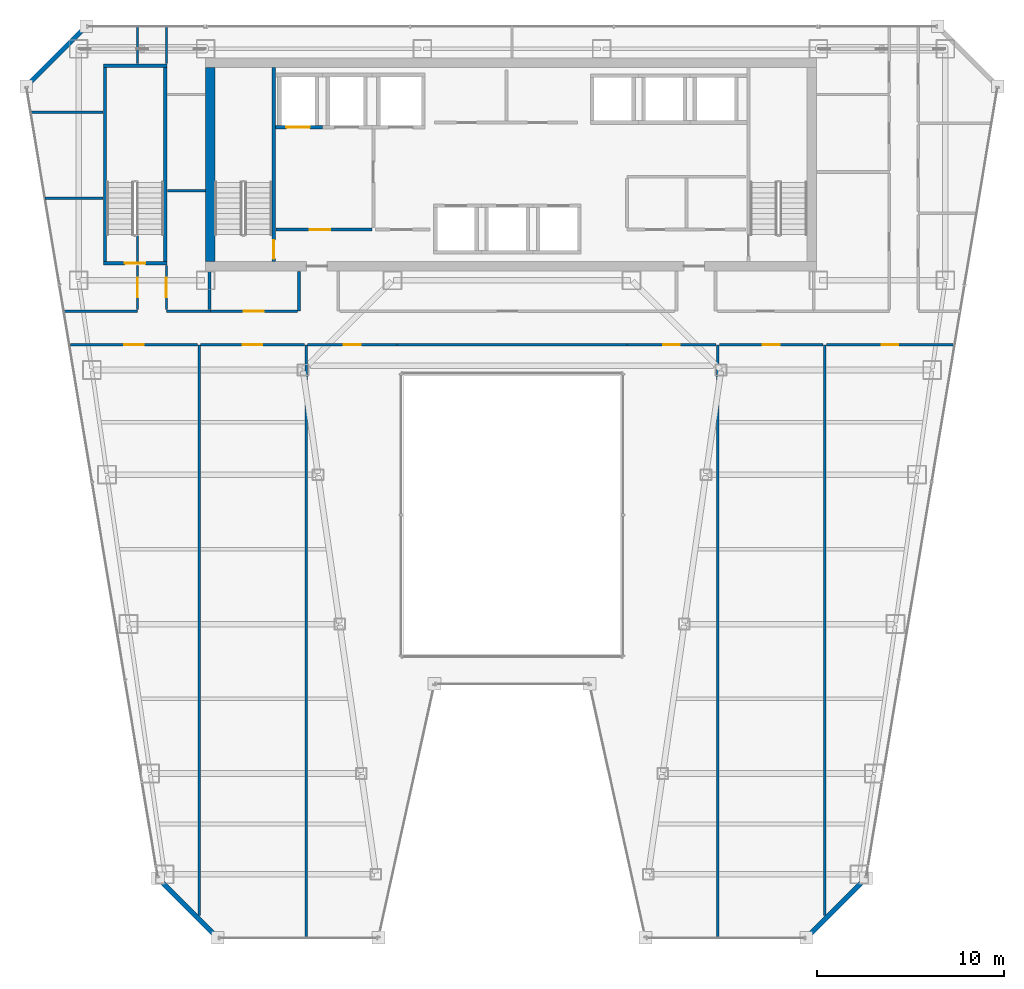
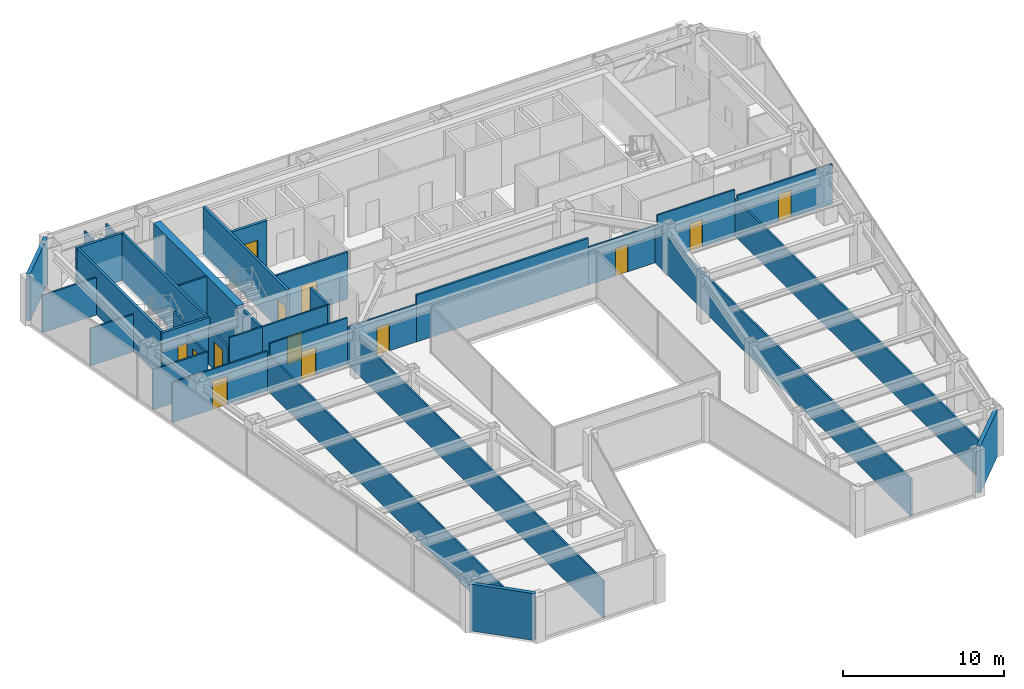
# One storey, part 32 of 38: 35 walls, 13 doors, 13 openings.
"""IFC4 building model written with IfcOpenShell, lengths in metres."""

from ifc_helpers import new_model, si_unit, direction, frame, frame_2d, origin, place, context, subcontext, project, spatial, rectangle, extrude, material, layer, layer_set, type_object, element, fill, save


model = new_model("IFC4")

# Units and contexts
model_context = context("Model", 3, precision=1e-05, world=origin(), true_north=direction((0.0, 1.0)))
body_context = subcontext(model_context, "Body", "Model", "MODEL_VIEW")
ifc_project = project(units=[si_unit("LENGTHUNIT", "METRE"), si_unit("AREAUNIT", "SQUARE_METRE"), si_unit("VOLUMEUNIT", "CUBIC_METRE"), si_unit("PLANEANGLEUNIT", "RADIAN"), si_unit("MASSUNIT", "GRAM", prefix="KILO")], contexts=[model_context])

# Site, building, storey
site_placement = place(None, origin())
site = spatial("IfcSite", under=ifc_project, at=site_placement, CompositionType="ELEMENT")
building_placement = place(site_placement, origin())
building = spatial("IfcBuilding", under=site, at=building_placement, Name="Saevonmaru Cultural Tower", CompositionType="ELEMENT")
storey_placement = place(building_placement, frame((0.0, 0.0, 133.39990234375)))
storey = spatial("IfcBuildingStorey", under=building, at=storey_placement, Name="L28", CompositionType="ELEMENT", Elevation=133.39990234375)

# Wall
ifc_material_1 = material(Name="Concrete C60/75", Category="concrete")
ifc_layer_1 = layer(ifc_material_1, 0.5, Name="Concrete C60/75")
ifc_layer_set_1 = layer_set([ifc_layer_1], Name="Concrete C60/75")
wall_type_1 = type_object("IfcWallType", Name="WL-CORE-500", PredefinedType="SHEAR", material=ifc_layer_set_1)
wall_1_placement = place(storey_placement, frame((13.85009765625, 43.39990234375, 0.0), z_axis=(0.0, 0.0, 1.0), x_axis=(0.0, 1.0, 0.0)))
element("IfcWall", 1, at=wall_1_placement, inside=storey, type_object=wall_type_1, Name="L28 Tower RC core shear wall W", PredefinedType="SHEAR", context=body_context, shape_type="SweptSolid", body=[
    extrude(rectangle(XDim=10.400146484375, YDim=0.5, at=frame_2d((5.2001953125, 0.0))), origin(), (0.0, 0.0, 1.0), 3.550048828125),
])

# Wall, opening, door
ifc_material_2 = material(Name="Gypsum Fireboard Partition", Category="gypsum")
ifc_layer_2 = layer(ifc_material_2, 0.14990234375, Name="Gypsum Fireboard Partition")
ifc_layer_set_2 = layer_set([ifc_layer_2], Name="Gypsum Fireboard Partition")
wall_type_2 = type_object("IfcWallType", Name="WL-CORE-PART-150", PredefinedType="PARTITIONING", material=ifc_layer_set_2)
wall_2_placement = place(storey_placement, frame((17.360107421875, 45.1201171875, 0.0), z_axis=(0.0, 0.0, 1.0), x_axis=(1.0, 0.0, 0.0)))
wall_2 = element("IfcWall", 2, at=wall_2_placement, inside=storey, type_object=wall_type_2, Name="L28 Firefighting Lift Lobby South Wall", PredefinedType="PARTITIONING", context=body_context, shape_type="SweptSolid", body=[
    extrude(rectangle(XDim=5.139892578125, YDim=0.14990234375, at=frame_2d((2.56982421875, 0.0))), origin(), (0.0, 0.0, 1.0), 3.550048828125),
])
opening_1_placement = place(wall_2_placement, frame((1.800048828125, 0.0, 0.0)))
opening_1 = element("IfcOpeningElement", 3, at=opening_1_placement, cuts=wall_2, Name="Opening FD-2", PredefinedType="OPENING", context=body_context, shape_type="SweptSolid", body=[
    extrude(rectangle(XDim=1.10009765625, YDim=2.14990234375, at=frame_2d((0.550048828125, 1.074951171875))), frame((0.0, 0.0849609375, 0.0), z_axis=(0.0, -1.0, 0.0), x_axis=(1.0, 0.0, 0.0)), (0.0, 0.0, 1.0), 0.169921875),
])
ifc_material_3 = material(Name="Satin Bronze Anodised Aluminium", Category="aluminium")
door_type_1 = type_object("IfcDoorType", Name="DR-FD60-1100", OperationType="SINGLE_SWING_LEFT", PredefinedType="DOOR", material=ifc_material_3)
door_1_placement = place(opening_1_placement, origin())
door_1 = element("IfcDoor", 4, at=door_1_placement, inside=storey, type_object=door_type_1, Name="L28 Firefighting Lift Lobby South Door", OperationType="SINGLE_SWING_LEFT", OverallHeight=2.14990234375, OverallWidth=1.10009765625, PredefinedType="DOOR", context=body_context, shape_type="SweptSolid", body=[
    extrude(rectangle(XDim=1.10009765625, YDim=2.14990234375, at=frame_2d((0.550048828125, 1.074951171875))), frame((0.0, 0.02490234375, 0.0), z_axis=(0.0, -1.0, 0.0), x_axis=(1.0, 0.0, 0.0)), (0.0, 0.0, 1.0), 0.050048828125),
])
fill(opening_1, door_1)

# Walls
ifc_material_4 = material(Name="Granite-Clad Precast Concrete C40/50", Category="masonry")
ifc_layer_3 = layer(ifc_material_4, 0.260009765625, Name="Granite-Clad Precast Concrete C40/50")
ifc_layer_set_3 = layer_set([ifc_layer_3], Name="Granite-Clad Precast Concrete C40/50")
wall_type_3 = type_object("IfcWallType", Name="WL-EXT-SPANDREL-260", PredefinedType="STANDARD", material=ifc_layer_set_3)
for number, where, z_axis, x_axis, name in (
    (5, (11.162109375, 10.286865234375, 0.0), (0.0, 0.0, 1.0), (0.70707775441, -0.707135806771, 0.0), "L28 Chamfer Corner Spandrel Wall E1"),
    (6, (45.8642578125, 7.31298828125, 0.0), (0.0, 0.0, 1.0), (0.70707775441, 0.707135806771, 0.0), "L28 Chamfer Corner Spandrel Wall E7"),
):
    element("IfcWall", number, at=place(storey_placement, frame(where, z_axis=z_axis, x_axis=x_axis)), inside=storey, type_object=wall_type_3, Name=name, PredefinedType="STANDARD", context=body_context, shape_type="SweptSolid", body=[
        extrude(rectangle(XDim=4.20556640625, YDim=0.260009765625, at=frame_2d((2.102783203125, 0.0))), origin(), (0.0, 0.0, 1.0), 3.550048828125),
    ])
wall_3_placement = place(storey_placement, frame((7.0869140625, 55.886962890625, 0.0), z_axis=(0.0, 0.0, 1.0), x_axis=(-0.707106781187, -0.707106781187, 0.0)))
element("IfcWall", 7, at=wall_3_placement, inside=storey, type_object=wall_type_3, Name="L28 Chamfer Corner Spandrel Wall E11", PredefinedType="STANDARD", context=body_context, shape_type="SweptSolid", body=[
    extrude(rectangle(XDim=4.205810546875, YDim=0.260009765625, at=frame_2d((2.10302734375, 0.0))), origin(), (0.0, 0.0, 1.0), 3.550048828125),
])
ifc_layer_4 = layer(ifc_material_2, 0.14990234375, Name="Gypsum Fireboard Partition")
ifc_layer_set_4 = layer_set([ifc_layer_4], Name="Gypsum Fireboard Partition")
wall_type_4 = type_object("IfcWallType", Name="WL-PART-FIRE-150", PredefinedType="PARTITIONING", material=ifc_layer_set_4)
wall_4_placement = place(storey_placement, frame((13.800048828125, 40.830078125, 0.0), z_axis=(0.0, 0.0, 1.0), x_axis=(0.0, 1.0, 0.0)))
element("IfcWall", 8, at=wall_4_placement, inside=storey, type_object=wall_type_4, Name="L28 Core Portal Side Wall W0", PredefinedType="PARTITIONING", context=body_context, shape_type="SweptSolid", body=[
    extrude(rectangle(XDim=2.0498046875, YDim=0.14990234375, at=frame_2d((1.02490234375, 0.0))), origin(), (0.0, 0.0, 1.0), 3.550048828125),
])
wall_5_placement = place(storey_placement, frame((18.60009765625, 40.75, 0.0), z_axis=(0.0, 0.0, 1.0), x_axis=(0.0, 1.0, 0.0)))
element("IfcWall", 9, at=wall_5_placement, inside=storey, type_object=wall_type_4, Name="L28 Core Portal Side Wall W1", PredefinedType="PARTITIONING", context=body_context, shape_type="SweptSolid", body=[
    extrude(rectangle(XDim=2.1298828125, YDim=0.14990234375, at=frame_2d((1.06494140625, 0.0))), origin(), (0.0, 0.0, 1.0), 3.550048828125),
])
wall_6_placement = place(storey_placement, frame((23.85009765625, 38.949951171875, 0.0), z_axis=(0.0, 0.0, 1.0), x_axis=(1.0, 0.0, 0.0)))
element("IfcWall", 10, at=wall_6_placement, inside=storey, type_object=wall_type_4, Name="L28 North Atrium Corridor Wall", PredefinedType="PARTITIONING", context=body_context, shape_type="SweptSolid", body=[
    extrude(rectangle(XDim=12.2998046875, YDim=0.14990234375, at=frame_2d((6.14990234375, 0.0))), origin(), (0.0, 0.0, 1.0), 3.550048828125),
])
ifc_layer_5 = layer(ifc_material_2, 0.1201171875, Name="Gypsum Fireboard Partition")
ifc_layer_set_5 = layer_set([ifc_layer_5], Name="Gypsum Fireboard Partition")
wall_type_5 = type_object("IfcWallType", Name="WL-PART-GYP-120", PredefinedType="PARTITIONING", material=ifc_layer_set_5)
wall_7_placement = place(storey_placement, frame((6.00830078125, 40.75, 0.0), z_axis=(0.0, 0.0, 1.0), x_axis=(1.0, 0.0, 0.0)))
element("IfcWall", 11, at=wall_7_placement, inside=storey, type_object=wall_type_5, Name="L28 NW Wing South Wall", PredefinedType="PARTITIONING", context=body_context, shape_type="SweptSolid", body=[
    extrude(rectangle(XDim=3.941650390625, YDim=0.1201171875, at=frame_2d((1.970703125, 0.0))), origin(), (0.0, 0.0, 1.0), 3.03515625),
])
wall_8_placement = place(storey_placement, frame((11.5, 40.75, 0.0), z_axis=(0.0, 0.0, 1.0), x_axis=(1.0, 0.0, 0.0)))
element("IfcWall", 12, at=wall_8_placement, inside=storey, type_object=wall_type_5, Name="L28 NW Inner South Wall", PredefinedType="PARTITIONING", context=body_context, shape_type="SweptSolid", body=[
    extrude(rectangle(XDim=2.35009765625, YDim=0.1201171875, at=frame_2d((1.175048828125, 0.0))), origin(), (0.0, 0.0, 1.0), 3.550048828125),
])
wall_9_placement = place(storey_placement, frame((11.5, 54.0, 0.0), z_axis=(0.0, 0.0, 1.0), x_axis=(0.0, 1.0, 0.0)))
element("IfcWall", 13, at=wall_9_placement, inside=storey, type_object=wall_type_5, Name="L28 Typography Design Classroom Corridor Wall", PredefinedType="PARTITIONING", context=body_context, shape_type="SweptSolid", body=[
    extrude(rectangle(XDim=1.9951171875, YDim=0.1201171875, at=frame_2d((0.99755859375, 0.0))), origin(), (0.0, 0.0, 1.0), 2.93505859375),
])
wall_10_placement = place(storey_placement, frame((5.002685546875, 46.800048828125, 0.0), z_axis=(0.0, 0.0, 1.0), x_axis=(1.0, 0.0, 0.0)))
element("IfcWall", 14, at=wall_10_placement, inside=storey, type_object=wall_type_5, Name="L28 NW Studio Divider 1", PredefinedType="PARTITIONING", context=body_context, shape_type="SweptSolid", body=[
    extrude(rectangle(XDim=3.097412109375, YDim=0.1201171875, at=frame_2d((1.548828125, 0.0))), origin(), (0.0, 0.0, 1.0), 2.835205078125),
])
wall_11_placement = place(storey_placement, frame((4.23779296875, 51.39990234375, 0.0), z_axis=(0.0, 0.0, 1.0), x_axis=(1.0, 0.0, 0.0)))
element("IfcWall", 15, at=wall_11_placement, inside=storey, type_object=wall_type_5, Name="L28 NW Studio Divider 2", PredefinedType="PARTITIONING", context=body_context, shape_type="SweptSolid", body=[
    extrude(rectangle(XDim=3.8623046875, YDim=0.1201171875, at=frame_2d((1.93115234375, 0.0))), origin(), (0.0, 0.0, 1.0), 2.835205078125),
])

# Wall, opening, door
wall_12_placement = place(storey_placement, frame((9.949951171875, 40.830078125, 0.0), z_axis=(0.0, 0.0, 1.0), x_axis=(0.0, 1.0, 0.0)))
wall_12 = element("IfcWall", 16, at=wall_12_placement, inside=storey, type_object=wall_type_5, Name="L28 Rare Folio Reading Room Corridor Wall", PredefinedType="PARTITIONING", context=body_context, shape_type="SweptSolid", body=[
    extrude(rectangle(XDim=2.369873046875, YDim=0.1201171875, at=frame_2d((1.18505859375, 0.0))), origin(), (0.0, 0.0, 1.0), 2.835205078125),
])
opening_2_placement = place(wall_12_placement, frame((0.659912109375, 0.0, 0.0)))
opening_2 = element("IfcOpeningElement", 17, at=opening_2_placement, cuts=wall_12, Name="Opening ID-1", PredefinedType="OPENING", context=body_context, shape_type="SweptSolid", body=[
    extrude(rectangle(XDim=1.050048828125, YDim=2.14990234375, at=frame_2d((0.52490234375, 1.074951171875))), frame((0.0, 0.070068359375, 0.0), z_axis=(0.0, -1.0, 0.0), x_axis=(1.0, 0.0, 0.0)), (0.0, 0.0, 1.0), 0.14013671875),
])
door_type_2 = type_object("IfcDoorType", Name="DR-INT-1050", OperationType="SINGLE_SWING_LEFT", PredefinedType="DOOR", material=ifc_material_3)
door_2_placement = place(opening_2_placement, origin())
door_2 = element("IfcDoor", 18, at=door_2_placement, inside=storey, type_object=door_type_2, Name="L28 Rare Folio Reading Room Door", OperationType="SINGLE_SWING_LEFT", OverallHeight=2.14990234375, OverallWidth=1.050048828125, PredefinedType="DOOR", context=body_context, shape_type="SweptSolid", body=[
    extrude(rectangle(XDim=1.050048828125, YDim=2.14990234375, at=frame_2d((0.52490234375, 1.074951171875))), frame((0.0, 0.02490234375, 0.0), z_axis=(0.0, -1.0, 0.0), x_axis=(1.0, 0.0, 0.0)), (0.0, 0.0, 1.0), 0.050048828125),
])
fill(opening_2, door_2)

# Walls
wall_13_placement = place(storey_placement, frame((9.949951171875, 43.419921875, 0.0), z_axis=(0.0, 0.0, 1.0), x_axis=(0.0, 1.0, 0.0)))
element("IfcWall", 19, at=wall_13_placement, inside=storey, type_object=wall_type_5, Name="L28 Rare Folio Reading Room Corridor Wall (2)", PredefinedType="PARTITIONING", context=body_context, shape_type="SweptSolid", body=[
    extrude(rectangle(XDim=1.4501953125, YDim=0.1201171875, at=frame_2d((0.72509765625, 0.0))), origin(), (0.0, 0.0, 1.0), 3.550048828125),
])
wall_14_placement = place(storey_placement, frame((9.949951171875, 54.0, 0.0), z_axis=(0.0, 0.0, 1.0), x_axis=(0.0, 1.0, 0.0)))
element("IfcWall", 20, at=wall_14_placement, inside=storey, type_object=wall_type_5, Name="L28 Typography Design Classroom Corridor Wall", PredefinedType="PARTITIONING", context=body_context, shape_type="SweptSolid", body=[
    extrude(rectangle(XDim=1.9951171875, YDim=0.1201171875, at=frame_2d((0.99755859375, 0.0))), origin(), (0.0, 0.0, 1.0), 2.93505859375),
])
wall_15_placement = place(storey_placement, frame((11.550048828125, 47.199951171875, 0.0), z_axis=(0.0, 0.0, 1.0), x_axis=(1.0, 0.0, 0.0)))
element("IfcWall", 21, at=wall_15_placement, inside=storey, type_object=wall_type_5, Name="L28 NW Inner Divider", PredefinedType="PARTITIONING", context=body_context, shape_type="SweptSolid", body=[
    extrude(rectangle(XDim=2.030029296875, YDim=0.1201171875, at=frame_2d((1.01513671875, 0.0))), origin(), (0.0, 0.0, 1.0), 3.550048828125),
])

# Wall, opening, door
wall_16_placement = place(storey_placement, frame((11.5, 40.830078125, 0.0), z_axis=(0.0, 0.0, 1.0), x_axis=(0.0, 1.0, 0.0)))
wall_16 = element("IfcWall", 22, at=wall_16_placement, inside=storey, type_object=wall_type_5, Name="L28 Art History Reading Room Corridor Wall", PredefinedType="PARTITIONING", context=body_context, shape_type="SweptSolid", body=[
    extrude(rectangle(XDim=2.369873046875, YDim=0.1201171875, at=frame_2d((1.18505859375, 0.0))), origin(), (0.0, 0.0, 1.0), 2.835205078125),
])
opening_3_placement = place(wall_16_placement, frame((0.659912109375, 0.0, 0.0)))
opening_3 = element("IfcOpeningElement", 23, at=opening_3_placement, cuts=wall_16, Name="Opening ID-1", PredefinedType="OPENING", context=body_context, shape_type="SweptSolid", body=[
    extrude(rectangle(XDim=1.050048828125, YDim=2.14990234375, at=frame_2d((0.52490234375, 1.074951171875))), frame((0.0, 0.070068359375, 0.0), z_axis=(0.0, -1.0, 0.0), x_axis=(1.0, 0.0, 0.0)), (0.0, 0.0, 1.0), 0.14013671875),
])
door_3_placement = place(opening_3_placement, origin())
door_3 = element("IfcDoor", 24, at=door_3_placement, inside=storey, type_object=door_type_2, Name="L28 Art History Reading Room Door", OperationType="SINGLE_SWING_RIGHT", OverallHeight=2.14990234375, OverallWidth=1.050048828125, PredefinedType="DOOR", context=body_context, shape_type="SweptSolid", body=[
    extrude(rectangle(XDim=1.050048828125, YDim=2.14990234375, at=frame_2d((0.52490234375, 1.074951171875))), frame((0.0, 0.02490234375, 0.0), z_axis=(0.0, -1.0, 0.0), x_axis=(1.0, 0.0, 0.0)), (0.0, 0.0, 1.0), 0.050048828125),
])
fill(opening_3, door_3)

wall_17_placement = place(storey_placement, frame((13.85009765625, 40.75, 0.0), z_axis=(0.0, 0.0, 1.0), x_axis=(1.0, 0.0, 0.0)))
wall_17 = element("IfcWall", 25, at=wall_17_placement, inside=storey, type_object=wall_type_5, Name="L28 Rare Folio Reading Room Corridor Wall", PredefinedType="PARTITIONING", context=body_context, shape_type="SweptSolid", body=[
    extrude(rectangle(XDim=4.65478515625, YDim=0.1201171875, at=frame_2d((2.327392578125, 0.0))), origin(), (0.0, 0.0, 1.0), 3.550048828125),
])
opening_4_placement = place(wall_17_placement, frame((1.802001953125, 0.0, 0.0)))
opening_4 = element("IfcOpeningElement", 26, at=opening_4_placement, cuts=wall_17, Name="Opening ID-1", PredefinedType="OPENING", context=body_context, shape_type="SweptSolid", body=[
    extrude(rectangle(XDim=1.050048828125, YDim=2.14990234375, at=frame_2d((0.52490234375, 1.074951171875))), frame((0.0, 0.070068359375, 0.0), z_axis=(0.0, -1.0, 0.0), x_axis=(1.0, 0.0, 0.0)), (0.0, 0.0, 1.0), 0.14013671875),
])
door_4_placement = place(opening_4_placement, origin())
door_4 = element("IfcDoor", 27, at=door_4_placement, inside=storey, type_object=door_type_2, Name="L28 Rare Folio Reading Room Door", OperationType="SINGLE_SWING_RIGHT", OverallHeight=2.14990234375, OverallWidth=1.050048828125, PredefinedType="DOOR", context=body_context, shape_type="SweptSolid", body=[
    extrude(rectangle(XDim=1.050048828125, YDim=2.14990234375, at=frame_2d((0.52490234375, 1.074951171875))), frame((0.0, 0.02490234375, 0.0), z_axis=(0.0, -1.0, 0.0), x_axis=(1.0, 0.0, 0.0)), (0.0, 0.0, 1.0), 0.050048828125),
])
fill(opening_4, door_4)

# Walls
wall_18_placement = place(storey_placement, frame((13.25, 8.410888671875, 0.0), z_axis=(0.0, 0.0, 1.0), x_axis=(0.0, 1.0, 0.0)))
element("IfcWall", 28, at=wall_18_placement, inside=storey, type_object=wall_type_5, Name="L28 West Bay Divider 1", PredefinedType="PARTITIONING", context=body_context, shape_type="SweptSolid", body=[
    extrude(rectangle(XDim=30.5390625, YDim=0.1201171875, at=frame_2d((15.26953125, 0.0))), origin(), (0.0, 0.0, 1.0), 2.835205078125),
])
wall_19_placement = place(storey_placement, frame((18.97998046875, 7.205078125, 0.0), z_axis=(0.0, 0.0, 1.0), x_axis=(0.0, 1.0, 0.0)))
element("IfcWall", 29, at=wall_19_placement, inside=storey, type_object=wall_type_5, Name="L28 West Bay Divider 2", PredefinedType="PARTITIONING", context=body_context, shape_type="SweptSolid", body=[
    extrude(rectangle(XDim=31.744873046875, YDim=0.1201171875, at=frame_2d((15.87255859375, 0.0))), origin(), (0.0, 0.0, 1.0), 2.835205078125),
])

# Wall, opening, door
wall_20_placement = place(storey_placement, frame((6.36279296875, 38.949951171875, 0.0), z_axis=(0.0, 0.0, 1.0), x_axis=(1.0, 0.0, 0.0)))
wall_20 = element("IfcWall", 30, at=wall_20_placement, inside=storey, type_object=wall_type_5, Name="L28 Rare Folio Reading Room Corridor Wall", PredefinedType="PARTITIONING", context=body_context, shape_type="SweptSolid", body=[
    extrude(rectangle(XDim=6.80712890625, YDim=0.1201171875, at=frame_2d((3.403564453125, 0.0))), origin(), (0.0, 0.0, 1.0), 3.03515625),
])
opening_5_placement = place(wall_20_placement, frame((2.87890625, 0.0, 0.0)))
opening_5 = element("IfcOpeningElement", 31, at=opening_5_placement, cuts=wall_20, Name="Opening ID-1", PredefinedType="OPENING", context=body_context, shape_type="SweptSolid", body=[
    extrude(rectangle(XDim=1.050048828125, YDim=2.14990234375, at=frame_2d((0.52490234375, 1.074951171875))), frame((0.0, 0.070068359375, 0.0), z_axis=(0.0, -1.0, 0.0), x_axis=(1.0, 0.0, 0.0)), (0.0, 0.0, 1.0), 0.14013671875),
])
door_5_placement = place(opening_5_placement, origin())
door_5 = element("IfcDoor", 32, at=door_5_placement, inside=storey, type_object=door_type_2, Name="L28 Rare Folio Reading Room Door", OperationType="SINGLE_SWING_LEFT", OverallHeight=2.14990234375, OverallWidth=1.050048828125, PredefinedType="DOOR", context=body_context, shape_type="SweptSolid", body=[
    extrude(rectangle(XDim=1.050048828125, YDim=2.14990234375, at=frame_2d((0.52490234375, 1.074951171875))), frame((0.0, 0.02490234375, 0.0), z_axis=(0.0, -1.0, 0.0), x_axis=(1.0, 0.0, 0.0)), (0.0, 0.0, 1.0), 0.050048828125),
])
fill(opening_5, door_5)

wall_21_placement = place(storey_placement, frame((13.330078125, 38.949951171875, 0.0), z_axis=(0.0, 0.0, 1.0), x_axis=(1.0, 0.0, 0.0)))
wall_21 = element("IfcWall", 33, at=wall_21_placement, inside=storey, type_object=wall_type_5, Name="L28 Art History Reading Room Corridor Wall", PredefinedType="PARTITIONING", context=body_context, shape_type="SweptSolid", body=[
    extrude(rectangle(XDim=5.56982421875, YDim=0.1201171875, at=frame_2d((2.784912109375, 0.0))), origin(), (0.0, 0.0, 1.0), 3.550048828125),
])
opening_6_placement = place(wall_21_placement, frame((2.260009765625, 0.0, 0.0)))
opening_6 = element("IfcOpeningElement", 34, at=opening_6_placement, cuts=wall_21, Name="Opening ID-1", PredefinedType="OPENING", context=body_context, shape_type="SweptSolid", body=[
    extrude(rectangle(XDim=1.050048828125, YDim=2.14990234375, at=frame_2d((0.52490234375, 1.074951171875))), frame((0.0, 0.070068359375, 0.0), z_axis=(0.0, -1.0, 0.0), x_axis=(1.0, 0.0, 0.0)), (0.0, 0.0, 1.0), 0.14013671875),
])
door_6_placement = place(opening_6_placement, origin())
door_6 = element("IfcDoor", 35, at=door_6_placement, inside=storey, type_object=door_type_2, Name="L28 Art History Reading Room Door", OperationType="SINGLE_SWING_RIGHT", OverallHeight=2.14990234375, OverallWidth=1.050048828125, PredefinedType="DOOR", context=body_context, shape_type="SweptSolid", body=[
    extrude(rectangle(XDim=1.050048828125, YDim=2.14990234375, at=frame_2d((0.52490234375, 1.074951171875))), frame((0.0, 0.02490234375, 0.0), z_axis=(0.0, -1.0, 0.0), x_axis=(1.0, 0.0, 0.0)), (0.0, 0.0, 1.0), 0.050048828125),
])
fill(opening_6, door_6)

wall_22_placement = place(storey_placement, frame((19.06005859375, 38.949951171875, 0.0), z_axis=(0.0, 0.0, 1.0), x_axis=(1.0, 0.0, 0.0)))
wall_22 = element("IfcWall", 36, at=wall_22_placement, inside=storey, type_object=wall_type_5, Name="L28 Typography Design Classroom Corridor Wall", PredefinedType="PARTITIONING", context=body_context, shape_type="SweptSolid", body=[
    extrude(rectangle(XDim=4.7900390625, YDim=0.1201171875, at=frame_2d((2.39501953125, 0.0))), origin(), (0.0, 0.0, 1.0), 2.835205078125),
])
opening_7_placement = place(wall_22_placement, frame((1.945068359375, 0.0, 0.0)))
opening_7 = element("IfcOpeningElement", 37, at=opening_7_placement, cuts=wall_22, Name="Opening ID-2", PredefinedType="OPENING", context=body_context, shape_type="SweptSolid", body=[
    extrude(rectangle(XDim=0.89990234375, YDim=2.10009765625, at=frame_2d((0.449951171875, 1.050048828125))), frame((0.0, 0.070068359375, 0.0), z_axis=(0.0, -1.0, 0.0), x_axis=(1.0, 0.0, 0.0)), (0.0, 0.0, 1.0), 0.14013671875),
])
ifc_material_5 = material(Name="Acoustic Stained Oak Timber", Category="wood")
door_type_3 = type_object("IfcDoorType", Name="DR-INT-900", OperationType="SINGLE_SWING_RIGHT", PredefinedType="DOOR", material=ifc_material_5)
door_7_placement = place(opening_7_placement, origin())
door_7 = element("IfcDoor", 38, at=door_7_placement, inside=storey, type_object=door_type_3, Name="L28 Typography Design Classroom Door", OperationType="SINGLE_SWING_LEFT", OverallHeight=2.10009765625, OverallWidth=0.89990234375, PredefinedType="DOOR", context=body_context, shape_type="SweptSolid", body=[
    extrude(rectangle(XDim=0.89990234375, YDim=2.10009765625, at=frame_2d((0.449951171875, 1.050048828125))), frame((0.0, 0.02490234375, 0.0), z_axis=(0.0, -1.0, 0.0), x_axis=(1.0, 0.0, 0.0)), (0.0, 0.0, 1.0), 0.050048828125),
])
fill(opening_7, door_7)

wall_23_placement = place(storey_placement, frame((36.14990234375, 38.949951171875, 0.0), z_axis=(0.0, 0.0, 1.0), x_axis=(1.0, 0.0, 0.0)))
wall_23 = element("IfcWall", 39, at=wall_23_placement, inside=storey, type_object=wall_type_5, Name="L28 Typography Design Classroom Corridor Wall", PredefinedType="PARTITIONING", context=body_context, shape_type="SweptSolid", body=[
    extrude(rectangle(XDim=4.78271484375, YDim=0.1201171875, at=frame_2d((2.391357421875, 0.0))), origin(), (0.0, 0.0, 1.0), 2.835205078125),
])
opening_8_placement = place(wall_23_placement, frame((1.94091796875, 0.0, 0.0)))
opening_8 = element("IfcOpeningElement", 40, at=opening_8_placement, cuts=wall_23, Name="Opening ID-2", PredefinedType="OPENING", context=body_context, shape_type="SweptSolid", body=[
    extrude(rectangle(XDim=0.89990234375, YDim=2.10009765625, at=frame_2d((0.449951171875, 1.050048828125))), frame((0.0, 0.070068359375, 0.0), z_axis=(0.0, -1.0, 0.0), x_axis=(1.0, 0.0, 0.0)), (0.0, 0.0, 1.0), 0.14013671875),
])
door_8_placement = place(opening_8_placement, origin())
door_8 = element("IfcDoor", 41, at=door_8_placement, inside=storey, type_object=door_type_3, Name="L28 Typography Design Classroom Door", OperationType="SINGLE_SWING_RIGHT", OverallHeight=2.10009765625, OverallWidth=0.89990234375, PredefinedType="DOOR", context=body_context, shape_type="SweptSolid", body=[
    extrude(rectangle(XDim=0.89990234375, YDim=2.10009765625, at=frame_2d((0.449951171875, 1.050048828125))), frame((0.0, 0.02490234375, 0.0), z_axis=(0.0, -1.0, 0.0), x_axis=(1.0, 0.0, 0.0)), (0.0, 0.0, 1.0), 0.050048828125),
])
fill(opening_8, door_8)

wall_24_placement = place(storey_placement, frame((41.107421875, 38.949951171875, 0.0), z_axis=(0.0, 0.0, 1.0), x_axis=(1.0, 0.0, 0.0)))
wall_24 = element("IfcWall", 42, at=wall_24_placement, inside=storey, type_object=wall_type_5, Name="L28 Calligraphy Teaching Studio Corridor Wall", PredefinedType="PARTITIONING", context=body_context, shape_type="SweptSolid", body=[
    extrude(rectangle(XDim=5.55517578125, YDim=0.1201171875, at=frame_2d((2.777587890625, 0.0))), origin(), (0.0, 0.0, 1.0), 3.550048828125),
])
opening_9_placement = place(wall_24_placement, frame((2.326904296875, 0.0, 0.0)))
opening_9 = element("IfcOpeningElement", 43, at=opening_9_placement, cuts=wall_24, Name="Opening ID-2", PredefinedType="OPENING", context=body_context, shape_type="SweptSolid", body=[
    extrude(rectangle(XDim=0.89990234375, YDim=2.10009765625, at=frame_2d((0.449951171875, 1.050048828125))), frame((0.0, 0.070068359375, 0.0), z_axis=(0.0, -1.0, 0.0), x_axis=(1.0, 0.0, 0.0)), (0.0, 0.0, 1.0), 0.14013671875),
])
door_9_placement = place(opening_9_placement, origin())
door_9 = element("IfcDoor", 44, at=door_9_placement, inside=storey, type_object=door_type_3, Name="L28 Calligraphy Teaching Studio Door", OperationType="SINGLE_SWING_LEFT", OverallHeight=2.10009765625, OverallWidth=0.89990234375, PredefinedType="DOOR", context=body_context, shape_type="SweptSolid", body=[
    extrude(rectangle(XDim=0.89990234375, YDim=2.10009765625, at=frame_2d((0.449951171875, 1.050048828125))), frame((0.0, 0.02490234375, 0.0), z_axis=(0.0, -1.0, 0.0), x_axis=(1.0, 0.0, 0.0)), (0.0, 0.0, 1.0), 0.050048828125),
])
fill(opening_9, door_9)

wall_25_placement = place(storey_placement, frame((46.83740234375, 38.949951171875, 0.0), z_axis=(0.0, 0.0, 1.0), x_axis=(1.0, 0.0, 0.0)))
wall_25 = element("IfcWall", 45, at=wall_25_placement, inside=storey, type_object=wall_type_5, Name="L28 Curatorial Board Meeting Room Corridor Wall", PredefinedType="PARTITIONING", context=body_context, shape_type="SweptSolid", body=[
    extrude(rectangle(XDim=6.7998046875, YDim=0.1201171875, at=frame_2d((3.39990234375, 0.0))), origin(), (0.0, 0.0, 1.0), 3.03515625),
])
opening_10_placement = place(wall_25_placement, frame((2.949951171875, 0.0, 0.0)))
opening_10 = element("IfcOpeningElement", 46, at=opening_10_placement, cuts=wall_25, Name="Opening ID-2", PredefinedType="OPENING", context=body_context, shape_type="SweptSolid", body=[
    extrude(rectangle(XDim=0.89990234375, YDim=2.10009765625, at=frame_2d((0.449951171875, 1.050048828125))), frame((0.0, 0.070068359375, 0.0), z_axis=(0.0, -1.0, 0.0), x_axis=(1.0, 0.0, 0.0)), (0.0, 0.0, 1.0), 0.14013671875),
])
door_10_placement = place(opening_10_placement, origin())
door_10 = element("IfcDoor", 47, at=door_10_placement, inside=storey, type_object=door_type_3, Name="L28 Curatorial Board Meeting Room Door", OperationType="SINGLE_SWING_RIGHT", OverallHeight=2.10009765625, OverallWidth=0.89990234375, PredefinedType="DOOR", context=body_context, shape_type="SweptSolid", body=[
    extrude(rectangle(XDim=0.89990234375, YDim=2.10009765625, at=frame_2d((0.449951171875, 1.050048828125))), frame((0.0, 0.02490234375, 0.0), z_axis=(0.0, -1.0, 0.0), x_axis=(1.0, 0.0, 0.0)), (0.0, 0.0, 1.0), 0.050048828125),
])
fill(opening_10, door_10)

# Walls
ifc_layer_6 = layer(ifc_material_2, 0.135009765625, Name="Gypsum Fireboard Partition")
ifc_layer_set_6 = layer_set([ifc_layer_6], Name="Gypsum Fireboard Partition")
wall_type_6 = type_object("IfcWallType", Name="WL-PART-GYP-135", PredefinedType="PARTITIONING", material=ifc_layer_set_6)
wall_26_placement = place(storey_placement, frame((41.02001953125, 7.205078125, 0.0), z_axis=(0.0, 0.0, 1.0), x_axis=(0.0, 1.0, 0.0)))
element("IfcWall", 48, at=wall_26_placement, inside=storey, type_object=wall_type_6, Name="L28 East Bay Divider 1", PredefinedType="PARTITIONING", context=body_context, shape_type="SweptSolid", body=[
    extrude(rectangle(XDim=31.744873046875, YDim=0.135009765625, at=frame_2d((15.87255859375, 0.0))), origin(), (0.0, 0.0, 1.0), 2.835205078125),
])
wall_27_placement = place(storey_placement, frame((46.75, 8.410888671875, 0.0), z_axis=(0.0, 0.0, 1.0), x_axis=(0.0, 1.0, 0.0)))
element("IfcWall", 49, at=wall_27_placement, inside=storey, type_object=wall_type_6, Name="L28 East Bay Divider 2", PredefinedType="PARTITIONING", context=body_context, shape_type="SweptSolid", body=[
    extrude(rectangle(XDim=30.5390625, YDim=0.135009765625, at=frame_2d((15.26953125, 0.0))), origin(), (0.0, 0.0, 1.0), 2.835205078125),
])

# Wall, opening, door
ifc_material_6 = material(Name="Concrete C40/50", Category="concrete")
ifc_layer_7 = layer(ifc_material_6, 0.199951171875, Name="Concrete C40/50")
ifc_layer_set_7 = layer_set([ifc_layer_7], Name="Concrete C40/50")
wall_type_7 = type_object("IfcWallType", Name="WL-SHAFT-200", PredefinedType="SHEAR", material=ifc_layer_set_7)
wall_28_placement = place(storey_placement, frame((17.330078125, 50.60009765625, 0.0), z_axis=(0.0, 0.0, 1.0), x_axis=(1.0, 0.0, 0.0)))
wall_28 = element("IfcWall", 50, at=wall_28_placement, inside=storey, type_object=wall_type_7, Name="L28 Lift FFL-1 Hoistway Wall S", PredefinedType="SHEAR", context=body_context, shape_type="SweptSolid", body=[
    extrude(rectangle(XDim=2.52001953125, YDim=0.199951171875, at=frame_2d((1.260009765625, 0.0))), origin(), (0.0, 0.0, 1.0), 3.550048828125),
])
opening_11_placement = place(wall_28_placement, frame((0.594970703125, 0.0, 0.0)))
opening_11 = element("IfcOpeningElement", 51, at=opening_11_placement, cuts=wall_28, Name="Opening LD-2", PredefinedType="OPENING", context=body_context, shape_type="SweptSolid", body=[
    extrude(rectangle(XDim=1.25, YDim=2.300048828125, at=frame_2d((0.625, 1.14990234375))), frame((0.0, 0.10986328125, 0.0), z_axis=(0.0, -1.0, 0.0), x_axis=(1.0, 0.0, 0.0)), (0.0, 0.0, 1.0), 0.219970703125),
])
ifc_material_7 = material(Name="Stainless Steel 316", Category="steel")
door_type_4 = type_object("IfcDoorType", Name="DR-LIFT-1250", OperationType="SLIDING_TO_LEFT", PredefinedType="DOOR", material=ifc_material_7)
door_11_placement = place(opening_11_placement, origin())
door_11 = element("IfcDoor", 52, at=door_11_placement, inside=storey, type_object=door_type_4, Name="L28 Lift FFL-1 Sliding Landing Door", OperationType="SLIDING_TO_LEFT", OverallHeight=2.300048828125, OverallWidth=1.25, PredefinedType="DOOR", context=body_context, shape_type="SweptSolid", body=[
    extrude(rectangle(XDim=1.25, YDim=2.300048828125, at=frame_2d((0.625, 1.14990234375))), frame((0.0, 0.02490234375, 0.0), z_axis=(0.0, -1.0, 0.0), x_axis=(1.0, 0.0, 0.0)), (0.0, 0.0, 1.0), 0.050048828125),
])
fill(opening_11, door_11)

ifc_layer_8 = layer(ifc_material_6, 0.179931640625, Name="Concrete C40/50")
ifc_layer_set_8 = layer_set([ifc_layer_8], Name="Concrete C40/50")
wall_type_8 = type_object("IfcWallType", Name="WL-STSHAFT-180", PredefinedType="SHEAR", material=ifc_layer_set_8)
wall_29_placement = place(storey_placement, frame((17.239990234375, 43.39990234375, 0.0), z_axis=(0.0, 0.0, 1.0), x_axis=(0.0, 1.0, 0.0)))
wall_29 = element("IfcWall", 53, at=wall_29_placement, inside=storey, type_object=wall_type_8, Name="L28 Stair ST-1 Structural Shaft Wall 1", PredefinedType="SHEAR", context=body_context, shape_type="SweptSolid", body=[
    extrude(rectangle(XDim=10.400146484375, YDim=0.179931640625, at=frame_2d((5.2001953125, 0.0))), origin(), (0.0, 0.0, 1.0), 3.550048828125),
])
opening_12_placement = place(wall_29_placement, frame((0.159912109375, 0.0, 0.0)))
opening_12 = element("IfcOpeningElement", 54, at=opening_12_placement, cuts=wall_29, Name="Opening FD-3", PredefinedType="OPENING", context=body_context, shape_type="SweptSolid", body=[
    extrude(rectangle(XDim=1.0, YDim=2.14990234375, at=frame_2d((0.5, 1.074951171875))), frame((0.0, 0.10009765625, 0.0), z_axis=(0.0, -1.0, 0.0), x_axis=(1.0, 0.0, 0.0)), (0.0, 0.0, 1.0), 0.199951171875),
])
door_type_5 = type_object("IfcDoorType", Name="DR-FD60-1000", OperationType="SINGLE_SWING_RIGHT", PredefinedType="DOOR", material=ifc_material_3)
door_12_placement = place(opening_12_placement, origin())
door_12 = element("IfcDoor", 55, at=door_12_placement, inside=storey, type_object=door_type_5, Name="L28 Protected Stair ST-1 Fire Door", OperationType="SINGLE_SWING_RIGHT", OverallHeight=2.14990234375, OverallWidth=1.0, PredefinedType="DOOR", context=body_context, shape_type="SweptSolid", body=[
    extrude(rectangle(XDim=1.0, YDim=2.14990234375, at=frame_2d((0.5, 1.074951171875))), frame((0.0, 0.02490234375, 0.0), z_axis=(0.0, -1.0, 0.0), x_axis=(1.0, 0.0, 0.0)), (0.0, 0.0, 1.0), 0.050048828125),
])
fill(opening_12, door_12)

wall_30_placement = place(storey_placement, frame((8.1201171875, 43.31005859375, 0.0), z_axis=(0.0, 0.0, 1.0), x_axis=(1.0, 0.0, 0.0)))
wall_30 = element("IfcWall", 56, at=wall_30_placement, inside=storey, type_object=wall_type_8, Name="L28 Stair ST-3 Structural Shaft Wall 1", PredefinedType="SHEAR", context=body_context, shape_type="SweptSolid", body=[
    extrude(rectangle(XDim=3.409912109375, YDim=0.179931640625, at=frame_2d((1.705078125, 0.0))), origin(), (0.0, 0.0, 1.0), 3.550048828125),
])
opening_13_placement = place(wall_30_placement, frame((1.14990234375, 0.0, 0.0)))
opening_13 = element("IfcOpeningElement", 57, at=opening_13_placement, cuts=wall_30, Name="Opening FD-2", PredefinedType="OPENING", context=body_context, shape_type="SweptSolid", body=[
    extrude(rectangle(XDim=1.10009765625, YDim=2.14990234375, at=frame_2d((0.550048828125, 1.074951171875))), frame((0.0, 0.10009765625, 0.0), z_axis=(0.0, -1.0, 0.0), x_axis=(1.0, 0.0, 0.0)), (0.0, 0.0, 1.0), 0.199951171875),
])
door_13_placement = place(opening_13_placement, origin())
door_13 = element("IfcDoor", 58, at=door_13_placement, inside=storey, type_object=door_type_1, Name="L28 Protected Stair ST-3 Fire Door", OperationType="SINGLE_SWING_LEFT", OverallHeight=2.14990234375, OverallWidth=1.10009765625, PredefinedType="DOOR", context=body_context, shape_type="SweptSolid", body=[
    extrude(rectangle(XDim=1.10009765625, YDim=2.14990234375, at=frame_2d((0.550048828125, 1.074951171875))), frame((0.0, 0.02490234375, 0.0), z_axis=(0.0, -1.0, 0.0), x_axis=(1.0, 0.0, 0.0)), (0.0, 0.0, 1.0), 0.050048828125),
])
fill(opening_13, door_13)

# Walls
wall_31_placement = place(storey_placement, frame((11.43994140625, 43.39990234375, 0.0), z_axis=(0.0, 0.0, 1.0), x_axis=(0.0, 1.0, 0.0)))
element("IfcWall", 59, at=wall_31_placement, inside=storey, type_object=wall_type_8, Name="L28 Stair ST-3 Structural Shaft Wall 2", PredefinedType="SHEAR", context=body_context, shape_type="SweptSolid", body=[
    extrude(rectangle(XDim=10.400146484375, YDim=0.179931640625, at=frame_2d((5.2001953125, 0.0))), origin(), (0.0, 0.0, 1.0), 3.550048828125),
])
wall_32_placement = place(storey_placement, frame((11.530029296875, 53.889892578125, 0.0), z_axis=(0.0, 0.0, 1.0), x_axis=(-1.0, 0.0, 0.0)))
element("IfcWall", 60, at=wall_32_placement, inside=storey, type_object=wall_type_8, Name="L28 Stair ST-3 Structural Shaft Wall 3", PredefinedType="SHEAR", context=body_context, shape_type="SweptSolid", body=[
    extrude(rectangle(XDim=3.409912109375, YDim=0.179931640625, at=frame_2d((1.705078125, 0.0))), origin(), (0.0, 0.0, 1.0), 3.550048828125),
])
wall_33_placement = place(storey_placement, frame((8.2099609375, 53.800048828125, 0.0), z_axis=(0.0, 0.0, 1.0), x_axis=(0.0, -1.0, 0.0)))
element("IfcWall", 61, at=wall_33_placement, inside=storey, type_object=wall_type_8, Name="L28 Stair ST-3 Structural Shaft Wall 4", PredefinedType="SHEAR", context=body_context, shape_type="SweptSolid", body=[
    extrude(rectangle(XDim=10.400146484375, YDim=0.179931640625, at=frame_2d((5.2001953125, 0.0))), origin(), (0.0, 0.0, 1.0), 3.550048828125),
])

save(model, "model.ifc")
